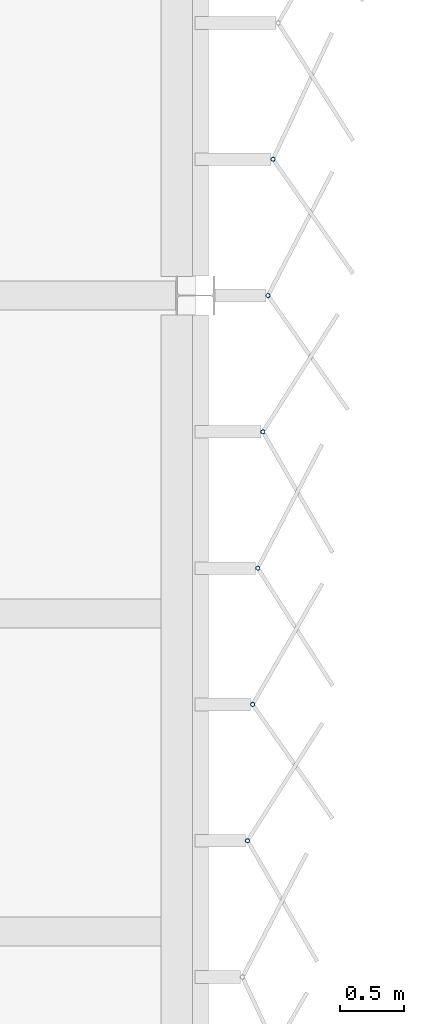
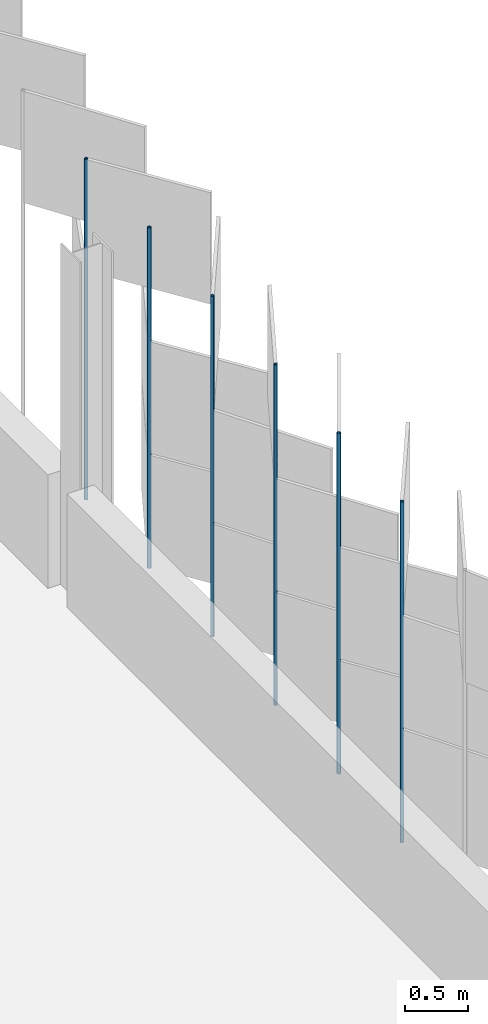
# One storey, part 116 of 198: 6 discrete accessories.
"""IFC4 building model written with IfcOpenShell, lengths in metres."""

import ifcopenshell
import ifcopenshell.guid

model = None  # the IFC model being written
_history = None  # IfcOwnerHistory: only IFC2X3 demands one
_inside = {}  # id of a spatial element -> (the spatial element, [elements in it])
_under = {}  # id of a project, library or spatial element -> (it, [spatial elements below it])
_declared = {}  # id of a project -> (the project, [libraries it declares])
_typed = {}  # id of a type object -> (the type object, [elements of that type])
_made_of = {}  # id of a material, layer set ... -> (it, [elements and type objects made of it])


def new_model(schema):
    """Start an empty IFC model of exactly this schema.

    Asked for "IFC4X3", IfcOpenShell would pick the latest addendum, in which some entities
    have other attributes; the version numbers below select the first issue.
    IFC2X3 requires an IfcOwnerHistory on every rooted entity: one is made here for all.
    """
    global model, _history
    if schema == "IFC4X3":
        model = ifcopenshell.file(schema_version=(4, 3, 0, 0))
    else:
        model = ifcopenshell.file(schema=schema)
    _inside.clear()
    _under.clear()
    _declared.clear()
    _typed.clear()
    _made_of.clear()
    _history = None
    if model.schema == "IFC2X3":
        org = make("IfcOrganization", Name="unknown")
        user = make(
            "IfcPersonAndOrganization",
            ThePerson=make("IfcPerson", FamilyName="unknown"),
            TheOrganization=org,
        )
        app = make(
            "IfcApplication",
            ApplicationDeveloper=org,
            Version="unknown",
            ApplicationFullName="unknown",
            ApplicationIdentifier="unknown",
        )
        _history = make(
            "IfcOwnerHistory",
            OwningUser=user,
            OwningApplication=app,
            ChangeAction="ADDED",
            CreationDate=0,
        )
    return model


def make(cls, **values):
    """One entity of the class cls with the attributes given. An attribute that is None is left unset."""
    return model.create_entity(
        cls, **{name: value for name, value in values.items() if value is not None}
    )


def rooted(cls, **values):
    """An entity with a GlobalId (a new one), such as an element, a storey or a relation."""
    return make(cls, GlobalId=ifcopenshell.guid.new(), OwnerHistory=_history, **values)


def si_unit(unit_type, name, prefix=None):
    """IfcSIUnit, for example si_unit("LENGTHUNIT", "METRE", prefix="MILLI")."""
    return make("IfcSIUnit", UnitType=unit_type, Prefix=prefix, Name=name)


def assignment(units):
    """IfcUnitAssignment: the units of a project."""
    return None if units is None else make("IfcUnitAssignment", Units=units)


def point(xyz):
    """IfcCartesianPoint."""
    return None if xyz is None else make("IfcCartesianPoint", Coordinates=xyz)


def direction(xyz):
    """IfcDirection."""
    return None if xyz is None else make("IfcDirection", DirectionRatios=xyz)


def frame(location, z_axis=None, x_axis=None):
    """IfcAxis2Placement3D, a coordinate frame: its origin and axes. An axis left out is left unset."""
    return make(
        "IfcAxis2Placement3D",
        Location=point(location),
        Axis=direction(z_axis),
        RefDirection=direction(x_axis),
    )


def frame_2d(location, x_axis=None):
    """IfcAxis2Placement2D, a coordinate frame in the plane: its origin and x axis."""
    return make(
        "IfcAxis2Placement2D", Location=point(location), RefDirection=direction(x_axis)
    )


def origin():
    """The frame at (0, 0, 0) with its axes left unset."""
    return frame((0.0, 0.0, 0.0))


def origin_2d():
    """The frame at (0, 0) in the plane with its x axis left unset."""
    return frame_2d((0.0, 0.0))


def place(relative_to, where):
    """IfcLocalPlacement: puts the frame where relative to a parent placement (None: the world)."""
    return make(
        "IfcLocalPlacement", PlacementRelTo=relative_to, RelativePlacement=where
    )


def context(
    kind, dimensions, precision=None, world=None, true_north=None, identifier=None
):
    """IfcGeometricRepresentationContext, for example the 3D "Model" context."""
    return make(
        "IfcGeometricRepresentationContext",
        ContextIdentifier=identifier,
        ContextType=kind,
        CoordinateSpaceDimension=dimensions,
        Precision=precision,
        WorldCoordinateSystem=world,
        TrueNorth=true_north,
    )


def subcontext(parent, identifier, kind, view, scale=None):
    """IfcGeometricRepresentationSubContext, for example "Body" below "Model"."""
    return make(
        "IfcGeometricRepresentationSubContext",
        ContextIdentifier=identifier,
        ContextType=kind,
        ParentContext=parent,
        TargetScale=scale,
        TargetView=view,
    )


def project(units=None, contexts=None):
    """IfcProject with its units and contexts."""
    return rooted(
        "IfcProject",
        Name="project",
        RepresentationContexts=contexts,
        UnitsInContext=assignment(units),
    )


def spatial(cls, under=None, at=None, **own):
    """A site, building, storey or space (cls), placed at a placement, below another one or the project."""
    s = rooted(cls, ObjectPlacement=at, **own)
    if under is not None:
        _under.setdefault(under.id(), (under, []))[1].append(s)
    return s


def profile(cls, at=None, kind="AREA", **sizes):
    """A parametric profile (cls). Its sizes go by their IFC names, for example OverallWidth=200.0."""
    return make(cls, ProfileType=kind, Position=at, **sizes)


def hollow_circle(**sizes):
    """IfcCircleHollowProfileDef."""
    return profile("IfcCircleHollowProfileDef", **sizes)


def extrude(swept, where, along, depth):
    """IfcExtrudedAreaSolid: the profile swept, set in the frame where, extruded along a direction by depth."""
    return make(
        "IfcExtrudedAreaSolid",
        SweptArea=swept,
        Position=where,
        ExtrudedDirection=direction(along),
        Depth=depth,
    )


def shape(context_of_items, identifier, shape_type, items):
    """IfcShapeRepresentation: the items that make up one representation, for example the "Body"."""
    return make(
        "IfcShapeRepresentation",
        ContextOfItems=context_of_items,
        RepresentationIdentifier=identifier,
        RepresentationType=shape_type,
        Items=items,
    )


def material(Name=None, Category=None):
    """IfcMaterial."""
    return make("IfcMaterial", Name=Name, Category=Category)


def material_profile(
    of_material, cross_section, Name=None, Category=None, Priority=None
):
    """IfcMaterialProfile: a cross section and its material."""
    return make(
        "IfcMaterialProfile",
        Name=Name,
        Material=of_material,
        Profile=cross_section,
        Priority=Priority,
        Category=Category,
    )


def profile_set(profiles, Name=None, composite=None):
    """IfcMaterialProfileSet."""
    return make(
        "IfcMaterialProfileSet",
        Name=Name,
        MaterialProfiles=profiles,
        CompositeProfile=composite,
    )


def made_of(thing, what):
    """Note that an element or type object is made of a material, layer set ...; save() writes the relation."""
    if what is not None:
        _made_of.setdefault(what.id(), (what, []))[1].append(thing)
    return thing


def type_object(cls, material=None, **own):
    """A type object (cls), such as IfcWallType, which elements share."""
    return made_of(rooted(cls, **own), material)


def element(
    cls,
    number,
    at=None,
    inside=None,
    cuts=None,
    type_object=None,
    material=None,
    context=None,
    identifier="Body",
    shape_type=None,
    held_by="IfcProductDefinitionShape",
    body=None,
    shapes=None,
    **own,
):
    """One element of the class cls, such as IfcWall. Its Tag is "e" and its number.

    at: its placement. inside: the storey or other place that contains it. cuts: it is an
    opening in that element (IfcRelVoidsElement). A single representation is given by context,
    identifier, shape_type and body (its items); several are given by shapes. held_by: the class
    of the entity that holds the representations. save() writes the other relations.
    """
    e = rooted(cls, Tag="e%d" % number, ObjectPlacement=at, **own)
    if body is not None:
        shapes = [shape(context, identifier, shape_type, body)]
    if shapes is not None:
        e.Representation = make(held_by, Representations=shapes)
    if inside is not None:
        _inside.setdefault(inside.id(), (inside, []))[1].append(e)
    if cuts is not None:
        rooted(
            "IfcRelVoidsElement", RelatingBuildingElement=cuts, RelatedOpeningElement=e
        )
    if type_object is not None:
        _typed.setdefault(type_object.id(), (type_object, []))[1].append(e)
    return made_of(e, material)


def aggregate(whole, parts):
    """IfcRelAggregates: a whole, such as a stair, and the parts it consists of."""
    return rooted("IfcRelAggregates", RelatingObject=whole, RelatedObjects=parts)


def save(model, path):
    """Write the relations noted so far, then the file.

    IfcRelAggregates (storeys below a building ...), IfcRelContainedInSpatialStructure (elements
    in a storey), IfcRelDefinesByType, IfcRelAssociatesMaterial and IfcRelDeclares: one each for
    every whole, place, type object, material and project.
    """
    for whole, parts in _under.values():
        aggregate(whole, parts)
    for where, things in _inside.values():
        rooted(
            "IfcRelContainedInSpatialStructure",
            RelatedElements=things,
            RelatingStructure=where,
        )
    for kind, things in _typed.values():
        rooted("IfcRelDefinesByType", RelatedObjects=things, RelatingType=kind)
    for what, things in _made_of.values():
        rooted("IfcRelAssociatesMaterial", RelatedObjects=things, RelatingMaterial=what)
    for by, libraries in _declared.values():
        rooted("IfcRelDeclares", RelatingContext=by, RelatedDefinitions=libraries)
    model.write(path)


model = new_model("IFC4")

# Units and contexts
model_context = context("Model", 3, precision=1e-05, world=origin(), true_north=direction((0.0, 1.0)))
body_context = subcontext(model_context, "Body", "Model", "MODEL_VIEW")
ifc_project = project(units=[si_unit("LENGTHUNIT", "METRE"), si_unit("AREAUNIT", "SQUARE_METRE"), si_unit("VOLUMEUNIT", "CUBIC_METRE"), si_unit("PLANEANGLEUNIT", "RADIAN"), si_unit("MASSUNIT", "GRAM", prefix="KILO")], contexts=[model_context])

# Site, building, storey
site_placement = place(None, origin())
site = spatial("IfcSite", under=ifc_project, at=site_placement, CompositionType="ELEMENT")
building_placement = place(site_placement, origin())
building = spatial("IfcBuilding", under=site, at=building_placement, Name="Parallax Yard Mobility Hub", CompositionType="ELEMENT")
storey_placement = place(building_placement, frame((0.0, 0.0, 6.60009765625)))
storey = spatial("IfcBuildingStorey", under=building, at=storey_placement, Name="L02", CompositionType="ELEMENT", Elevation=6.60009765625)

# Discrete accessories
ifc_material = material(Name="Steel ASTM A500 Gr C, hot-dip galvanised", Category="steel")
ifc_material_profile = material_profile(ifc_material, hollow_circle(Radius=0.016845703125, WallThickness=0.003173828125, at=origin_2d()), Name="CHS 33.7x3.2")
ifc_profile_set = profile_set([ifc_material_profile], Name="Steel ASTM A500 Gr C, hot-dip galvanised")
discrete_accessory_type = type_object("IfcDiscreteAccessoryType", Name="Hinge post CHS 33.7x3.2", PredefinedType="BRACKET", material=ifc_profile_set)
for number, where, z_axis, x_axis, name in (
    (1, (225.410888671875, 78.21337890625, 0.0), (0.0, 0.0, 1.0), (1.0, 0.0, 0.0), "Hinge post bay 39.4 level L02"),
    (2, (225.450927734375, 79.28515625, 0.0), (0.0, 0.0, 1.0), (1.0, 0.0, 0.0), "Hinge post bay 39.5 level L02"),
    (3, (225.4912109375, 80.356689453125, 0.0), (0.0, 0.0, 1.0), (1.0, 0.0, 0.0), "Hinge post bay 39.6 level L02"),
    (4, (225.53125, 81.4287109375, 0.0), (0.0, 0.0, 1.0), (1.0, 0.0, 0.0), "Hinge post bay 39.7 level L02"),
    (5, (225.5712890625, 82.500244140625, 0.0), (0.0, 0.0, 1.0), (1.0, 0.0, 0.0), "Hinge post bay 40.1 level L02"),
    (6, (225.611328125, 83.572021484375, 0.0), (0.0, 0.0, 1.0), (1.0, 0.0, 0.0), "Hinge post bay 40.2 level L02"),
):
    element("IfcDiscreteAccessory", number, at=place(storey_placement, frame(where, z_axis=z_axis, x_axis=x_axis)), inside=storey, type_object=discrete_accessory_type, Name=name, PredefinedType="BRACKET", context=body_context, shape_type="SweptSolid", body=[
        extrude(hollow_circle(Radius=0.016845703125, WallThickness=0.003173828125, at=origin_2d()), origin(), (0.0, 0.0, 1.0), 3.2998046875),
    ])

save(model, "model.ifc")
